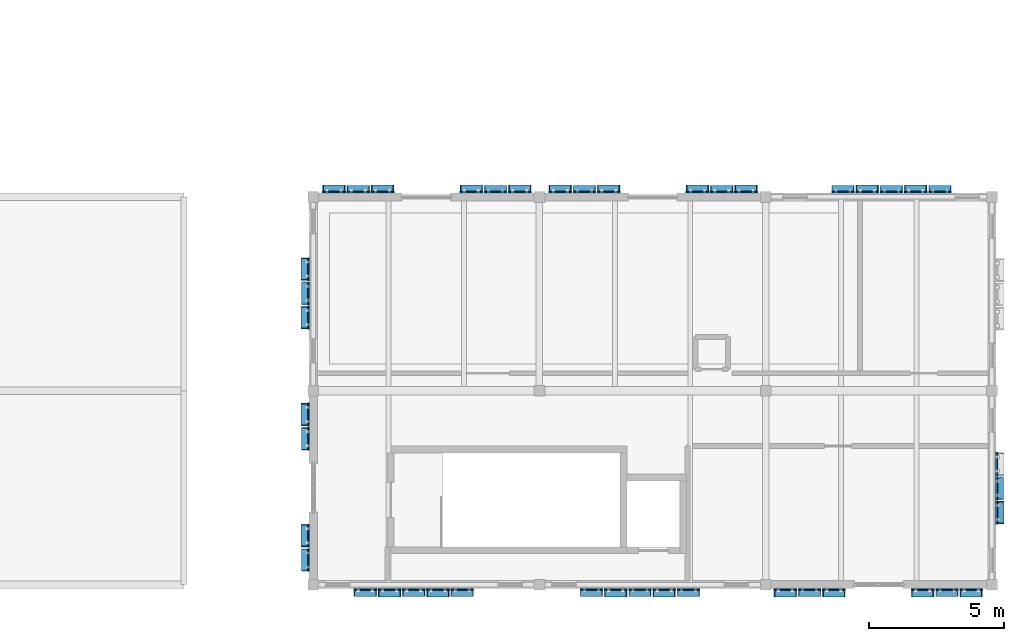
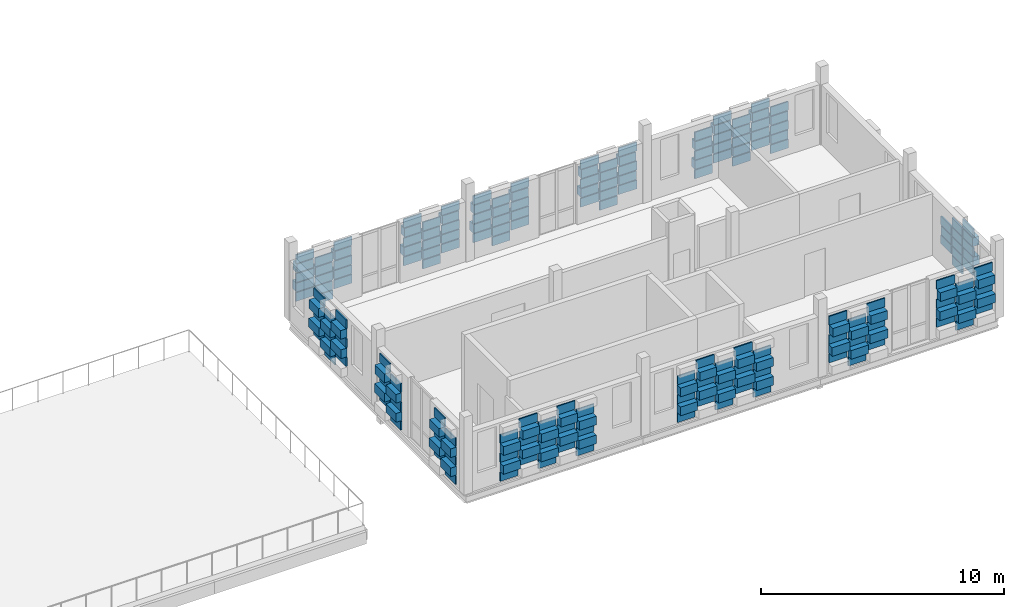
# One storey, part 32 of 57: 213 plates.
"""IFC4 building model written with IfcOpenShell, lengths in metres."""

from ifc_helpers import new_model, si_unit, direction, frame, origin, origin_2d, place, context, subcontext, project, spatial, rectangle, extrude, material, layer, layer_set, type_object, element, save


model = new_model("IFC4")

# Units and contexts
model_context = context("Model", 3, precision=1e-05, world=origin(), true_north=direction((0.0, 1.0)))
body_context = subcontext(model_context, "Body", "Model", "MODEL_VIEW")
ifc_project = project(units=[si_unit("LENGTHUNIT", "METRE"), si_unit("AREAUNIT", "SQUARE_METRE"), si_unit("VOLUMEUNIT", "CUBIC_METRE"), si_unit("PLANEANGLEUNIT", "RADIAN"), si_unit("MASSUNIT", "GRAM", prefix="KILO")], contexts=[model_context])

# Site, building, storey
site_placement = place(None, origin())
site = spatial("IfcSite", under=ifc_project, at=site_placement, CompositionType="ELEMENT")
building_placement = place(site_placement, origin())
building = spatial("IfcBuilding", under=site, at=building_placement, Name="Kahlenmark Community Centre", CompositionType="ELEMENT")
storey_placement = place(building_placement, frame((0.0, 0.0, 13.800048828125)))
storey = spatial("IfcBuildingStorey", under=building, at=storey_placement, Name="L03", CompositionType="ELEMENT", Elevation=13.800048828125)

# Plates
ifc_material_1 = material(Name="Extruded warm terracotta recessed weave tile", Category="masonry")
ifc_layer_1 = layer(ifc_material_1, 0.06005859375)
ifc_layer_set_1 = layer_set([ifc_layer_1], Name="Extruded warm terracotta recessed weave tile")
plate_type_1 = type_object("IfcPlateType", Name="PLT-TC-TC-R10-840X60X435", PredefinedType="SHEET", material=ifc_layer_set_1)
for number, where, z_axis, x_axis, name in (
    (1, (93.530029296875, 8.6201171875, 0.099853515625), (0.0, 0.0, 1.0), (1.0, 0.0, 0.0), "Basketweave terracotta cassette 4196"),
    (2, (93.530029296875, 8.6201171875, 1.0498046875), (0.0, 0.0, 1.0), (1.0, 0.0, 0.0), "Basketweave terracotta cassette 4198"),
    (3, (93.530029296875, 8.6201171875, 2.0), (0.0, 0.0, 1.0), (1.0, 0.0, 0.0), "Basketweave terracotta cassette 4200"),
    (4, (95.330078125, 8.6201171875, 0.099853515625), (0.0, 0.0, 1.0), (1.0, 0.0, 0.0), "Basketweave terracotta cassette 4208"),
    (5, (95.330078125, 8.6201171875, 1.0498046875), (0.0, 0.0, 1.0), (1.0, 0.0, 0.0), "Basketweave terracotta cassette 4210"),
    (6, (95.330078125, 8.6201171875, 2.0), (0.0, 0.0, 1.0), (1.0, 0.0, 0.0), "Basketweave terracotta cassette 4212"),
    (7, (97.1298828125, 8.6201171875, 0.099853515625), (0.0, 0.0, 1.0), (1.0, 0.0, 0.0), "Basketweave terracotta cassette 4220"),
    (8, (97.1298828125, 8.6201171875, 1.0498046875), (0.0, 0.0, 1.0), (1.0, 0.0, 0.0), "Basketweave terracotta cassette 4222"),
    (9, (97.1298828125, 8.6201171875, 2.0), (0.0, 0.0, 1.0), (1.0, 0.0, 0.0), "Basketweave terracotta cassette 4224"),
    (10, (101.929931640625, 8.6201171875, 0.099853515625), (0.0, 0.0, 1.0), (1.0, 0.0, 0.0), "Basketweave terracotta cassette 4226"),
    (11, (101.929931640625, 8.6201171875, 1.0498046875), (0.0, 0.0, 1.0), (1.0, 0.0, 0.0), "Basketweave terracotta cassette 4228"),
    (12, (101.929931640625, 8.6201171875, 2.0), (0.0, 0.0, 1.0), (1.0, 0.0, 0.0), "Basketweave terracotta cassette 4230"),
    (13, (103.72998046875, 8.6201171875, 0.099853515625), (0.0, 0.0, 1.0), (1.0, 0.0, 0.0), "Basketweave terracotta cassette 4238"),
    (14, (103.72998046875, 8.6201171875, 1.0498046875), (0.0, 0.0, 1.0), (1.0, 0.0, 0.0), "Basketweave terracotta cassette 4240"),
    (15, (103.72998046875, 8.6201171875, 2.0), (0.0, 0.0, 1.0), (1.0, 0.0, 0.0), "Basketweave terracotta cassette 4242"),
    (16, (105.530029296875, 8.6201171875, 0.099853515625), (0.0, 0.0, 1.0), (1.0, 0.0, 0.0), "Basketweave terracotta cassette 4250"),
    (17, (105.530029296875, 8.6201171875, 1.0498046875), (0.0, 0.0, 1.0), (1.0, 0.0, 0.0), "Basketweave terracotta cassette 4252"),
    (18, (105.530029296875, 8.6201171875, 2.0), (0.0, 0.0, 1.0), (1.0, 0.0, 0.0), "Basketweave terracotta cassette 4254"),
    (19, (110.030029296875, 8.6201171875, 0.099853515625), (0.0, 0.0, 1.0), (1.0, 0.0, 0.0), "Basketweave terracotta cassette 4262"),
    (20, (110.030029296875, 8.6201171875, 1.0498046875), (0.0, 0.0, 1.0), (1.0, 0.0, 0.0), "Basketweave terracotta cassette 4264"),
    (21, (110.030029296875, 8.6201171875, 2.0), (0.0, 0.0, 1.0), (1.0, 0.0, 0.0), "Basketweave terracotta cassette 4266"),
    (22, (115.1298828125, 8.6201171875, 0.099853515625), (0.0, 0.0, 1.0), (1.0, 0.0, 0.0), "Basketweave terracotta cassette 4280"),
    (23, (115.1298828125, 8.6201171875, 1.0498046875), (0.0, 0.0, 1.0), (1.0, 0.0, 0.0), "Basketweave terracotta cassette 4282"),
    (24, (115.1298828125, 8.6201171875, 2.0), (0.0, 0.0, 1.0), (1.0, 0.0, 0.0), "Basketweave terracotta cassette 4284"),
    (25, (98.3701171875, 23.3798828125, 0.099853515625), (0.0, 0.0, 1.0), (-1.0, 0.0, 0.0), "Basketweave terracotta cassette 4298"),
    (26, (98.3701171875, 23.3798828125, 1.0498046875), (0.0, 0.0, 1.0), (-1.0, 0.0, 0.0), "Basketweave terracotta cassette 4300"),
    (27, (98.3701171875, 23.3798828125, 2.0), (0.0, 0.0, 1.0), (-1.0, 0.0, 0.0), "Basketweave terracotta cassette 4302"),
    (28, (93.27001953125, 23.3798828125, 0.099853515625), (0.0, 0.0, 1.0), (-1.0, 0.0, 0.0), "Basketweave terracotta cassette 4316"),
    (29, (93.27001953125, 23.3798828125, 1.0498046875), (0.0, 0.0, 1.0), (-1.0, 0.0, 0.0), "Basketweave terracotta cassette 4318"),
    (30, (93.27001953125, 23.3798828125, 2.0), (0.0, 0.0, 1.0), (-1.0, 0.0, 0.0), "Basketweave terracotta cassette 4320"),
    (31, (106.77001953125, 23.3798828125, 0.099853515625), (0.0, 0.0, 1.0), (-1.0, 0.0, 0.0), "Basketweave terracotta cassette 4334"),
    (32, (106.77001953125, 23.3798828125, 1.0498046875), (0.0, 0.0, 1.0), (-1.0, 0.0, 0.0), "Basketweave terracotta cassette 4336"),
    (33, (106.77001953125, 23.3798828125, 2.0), (0.0, 0.0, 1.0), (-1.0, 0.0, 0.0), "Basketweave terracotta cassette 4338"),
    (34, (101.669921875, 23.3798828125, 0.099853515625), (0.0, 0.0, 1.0), (-1.0, 0.0, 0.0), "Basketweave terracotta cassette 4352"),
    (35, (101.669921875, 23.3798828125, 1.0498046875), (0.0, 0.0, 1.0), (-1.0, 0.0, 0.0), "Basketweave terracotta cassette 4354"),
    (36, (101.669921875, 23.3798828125, 2.0), (0.0, 0.0, 1.0), (-1.0, 0.0, 0.0), "Basketweave terracotta cassette 4356"),
    (37, (114.8701171875, 23.3798828125, 0.099853515625), (0.0, 0.0, 1.0), (-1.0, 0.0, 0.0), "Basketweave terracotta cassette 4364"),
    (38, (114.8701171875, 23.3798828125, 1.0498046875), (0.0, 0.0, 1.0), (-1.0, 0.0, 0.0), "Basketweave terracotta cassette 4366"),
    (39, (114.8701171875, 23.3798828125, 2.0), (0.0, 0.0, 1.0), (-1.0, 0.0, 0.0), "Basketweave terracotta cassette 4368"),
    (40, (113.070068359375, 23.3798828125, 0.099853515625), (0.0, 0.0, 1.0), (-1.0, 0.0, 0.0), "Basketweave terracotta cassette 4376"),
    (41, (113.070068359375, 23.3798828125, 1.0498046875), (0.0, 0.0, 1.0), (-1.0, 0.0, 0.0), "Basketweave terracotta cassette 4378"),
    (42, (113.070068359375, 23.3798828125, 2.0), (0.0, 0.0, 1.0), (-1.0, 0.0, 0.0), "Basketweave terracotta cassette 4380"),
    (43, (111.27001953125, 23.3798828125, 0.099853515625), (0.0, 0.0, 1.0), (-1.0, 0.0, 0.0), "Basketweave terracotta cassette 4388"),
    (44, (111.27001953125, 23.3798828125, 1.0498046875), (0.0, 0.0, 1.0), (-1.0, 0.0, 0.0), "Basketweave terracotta cassette 4390"),
    (45, (111.27001953125, 23.3798828125, 2.0), (0.0, 0.0, 1.0), (-1.0, 0.0, 0.0), "Basketweave terracotta cassette 4392"),
    (46, (91.419921875, 14.219970703125, 0.099853515625), (0.0, 0.0, 1.0), (0.0, -1.0, 0.0), "Basketweave terracotta cassette 4400"),
    (47, (91.419921875, 14.219970703125, 1.0498046875), (0.0, 0.0, 1.0), (0.0, -1.0, 0.0), "Basketweave terracotta cassette 4402"),
    (48, (91.419921875, 14.219970703125, 2.0), (0.0, 0.0, 1.0), (0.0, -1.0, 0.0), "Basketweave terracotta cassette 4404"),
    (49, (91.419921875, 9.719970703125, 0.099853515625), (0.0, 0.0, 1.0), (0.0, -1.0, 0.0), "Basketweave terracotta cassette 4412"),
    (50, (91.419921875, 9.719970703125, 1.0498046875), (0.0, 0.0, 1.0), (0.0, -1.0, 0.0), "Basketweave terracotta cassette 4414"),
    (51, (91.419921875, 9.719970703125, 2.0), (0.0, 0.0, 1.0), (0.0, -1.0, 0.0), "Basketweave terracotta cassette 4416"),
    (52, (91.419921875, 19.6201171875, 0.099853515625), (0.0, 0.0, 1.0), (0.0, -1.0, 0.0), "Basketweave terracotta cassette 4424"),
    (53, (91.419921875, 19.6201171875, 1.0498046875), (0.0, 0.0, 1.0), (0.0, -1.0, 0.0), "Basketweave terracotta cassette 4426"),
    (54, (91.419921875, 19.6201171875, 2.0), (0.0, 0.0, 1.0), (0.0, -1.0, 0.0), "Basketweave terracotta cassette 4428"),
    (55, (116.97998046875, 12.3798828125, 0.099853515625), (0.0, 0.0, 1.0), (0.0, 1.0, 0.0), "Basketweave terracotta cassette 4442"),
    (56, (116.97998046875, 12.3798828125, 1.0498046875), (0.0, 0.0, 1.0), (0.0, 1.0, 0.0), "Basketweave terracotta cassette 4444"),
    (57, (116.97998046875, 12.3798828125, 2.0), (0.0, 0.0, 1.0), (0.0, 1.0, 0.0), "Basketweave terracotta cassette 4446"),
):
    element("IfcPlate", number, at=place(storey_placement, frame(where, z_axis=z_axis, x_axis=x_axis)), inside=storey, type_object=plate_type_1, Name=name, PredefinedType="SHEET", context=body_context, shape_type="SweptSolid", body=[
        extrude(rectangle(XDim=0.840087890625, YDim=0.06005859375, at=origin_2d()), origin(), (0.0, 0.0, 1.0), 0.43505859375),
    ])
ifc_layer_2 = layer(ifc_material_1, 0.06005859375)
ifc_layer_set_2 = layer_set([ifc_layer_2], Name="Extruded warm terracotta recessed weave tile")
plate_type_2 = type_object("IfcPlateType", Name="PLT-TC-TC-R10-860X60X435", PredefinedType="SHEET", material=ifc_layer_set_2)
for number, where, z_axis, x_axis, name in (
    (58, (94.429931640625, 8.6201171875, 0.574951171875), (0.0, 0.0, 1.0), (1.0, 0.0, 0.0), "Basketweave terracotta cassette 4203"),
    (59, (94.429931640625, 8.6201171875, 1.52490234375), (0.0, 0.0, 1.0), (1.0, 0.0, 0.0), "Basketweave terracotta cassette 4205"),
    (60, (94.429931640625, 8.6201171875, 2.474853515625), (0.0, 0.0, 1.0), (1.0, 0.0, 0.0), "Basketweave terracotta cassette 4207"),
    (61, (96.22998046875, 8.6201171875, 0.574951171875), (0.0, 0.0, 1.0), (1.0, 0.0, 0.0), "Basketweave terracotta cassette 4215"),
    (62, (96.22998046875, 8.6201171875, 1.52490234375), (0.0, 0.0, 1.0), (1.0, 0.0, 0.0), "Basketweave terracotta cassette 4217"),
    (63, (96.22998046875, 8.6201171875, 2.474853515625), (0.0, 0.0, 1.0), (1.0, 0.0, 0.0), "Basketweave terracotta cassette 4219"),
    (64, (102.830078125, 8.6201171875, 0.574951171875), (0.0, 0.0, 1.0), (1.0, 0.0, 0.0), "Basketweave terracotta cassette 4233"),
    (65, (102.830078125, 8.6201171875, 1.52490234375), (0.0, 0.0, 1.0), (1.0, 0.0, 0.0), "Basketweave terracotta cassette 4235"),
    (66, (102.830078125, 8.6201171875, 2.474853515625), (0.0, 0.0, 1.0), (1.0, 0.0, 0.0), "Basketweave terracotta cassette 4237"),
    (67, (104.6298828125, 8.6201171875, 0.574951171875), (0.0, 0.0, 1.0), (1.0, 0.0, 0.0), "Basketweave terracotta cassette 4245"),
    (68, (104.6298828125, 8.6201171875, 1.52490234375), (0.0, 0.0, 1.0), (1.0, 0.0, 0.0), "Basketweave terracotta cassette 4247"),
    (69, (104.6298828125, 8.6201171875, 2.474853515625), (0.0, 0.0, 1.0), (1.0, 0.0, 0.0), "Basketweave terracotta cassette 4249"),
    (70, (109.1298828125, 8.6201171875, 0.574951171875), (0.0, 0.0, 1.0), (1.0, 0.0, 0.0), "Basketweave terracotta cassette 4257"),
    (71, (109.1298828125, 8.6201171875, 1.52490234375), (0.0, 0.0, 1.0), (1.0, 0.0, 0.0), "Basketweave terracotta cassette 4259"),
    (72, (109.1298828125, 8.6201171875, 2.474853515625), (0.0, 0.0, 1.0), (1.0, 0.0, 0.0), "Basketweave terracotta cassette 4261"),
    (73, (110.929931640625, 8.6201171875, 0.574951171875), (0.0, 0.0, 1.0), (1.0, 0.0, 0.0), "Basketweave terracotta cassette 4269"),
    (74, (110.929931640625, 8.6201171875, 1.52490234375), (0.0, 0.0, 1.0), (1.0, 0.0, 0.0), "Basketweave terracotta cassette 4271"),
    (75, (110.929931640625, 8.6201171875, 2.474853515625), (0.0, 0.0, 1.0), (1.0, 0.0, 0.0), "Basketweave terracotta cassette 4273"),
    (76, (114.22998046875, 8.6201171875, 0.574951171875), (0.0, 0.0, 1.0), (1.0, 0.0, 0.0), "Basketweave terracotta cassette 4275"),
    (77, (114.22998046875, 8.6201171875, 1.52490234375), (0.0, 0.0, 1.0), (1.0, 0.0, 0.0), "Basketweave terracotta cassette 4277"),
    (78, (114.22998046875, 8.6201171875, 2.474853515625), (0.0, 0.0, 1.0), (1.0, 0.0, 0.0), "Basketweave terracotta cassette 4279"),
    (79, (116.030029296875, 8.6201171875, 0.574951171875), (0.0, 0.0, 1.0), (1.0, 0.0, 0.0), "Basketweave terracotta cassette 4287"),
    (80, (116.030029296875, 8.6201171875, 1.52490234375), (0.0, 0.0, 1.0), (1.0, 0.0, 0.0), "Basketweave terracotta cassette 4289"),
    (81, (116.030029296875, 8.6201171875, 2.474853515625), (0.0, 0.0, 1.0), (1.0, 0.0, 0.0), "Basketweave terracotta cassette 4291"),
    (82, (99.27001953125, 23.3798828125, 0.574951171875), (0.0, 0.0, 1.0), (-1.0, 0.0, 0.0), "Basketweave terracotta cassette 4293"),
    (83, (99.27001953125, 23.3798828125, 1.52490234375), (0.0, 0.0, 1.0), (-1.0, 0.0, 0.0), "Basketweave terracotta cassette 4295"),
    (84, (99.27001953125, 23.3798828125, 2.474853515625), (0.0, 0.0, 1.0), (-1.0, 0.0, 0.0), "Basketweave terracotta cassette 4297"),
    (85, (97.469970703125, 23.3798828125, 0.574951171875), (0.0, 0.0, 1.0), (-1.0, 0.0, 0.0), "Basketweave terracotta cassette 4305"),
    (86, (97.469970703125, 23.3798828125, 1.52490234375), (0.0, 0.0, 1.0), (-1.0, 0.0, 0.0), "Basketweave terracotta cassette 4307"),
    (87, (97.469970703125, 23.3798828125, 2.474853515625), (0.0, 0.0, 1.0), (-1.0, 0.0, 0.0), "Basketweave terracotta cassette 4309"),
    (88, (94.169921875, 23.3798828125, 0.574951171875), (0.0, 0.0, 1.0), (-1.0, 0.0, 0.0), "Basketweave terracotta cassette 4311"),
    (89, (94.169921875, 23.3798828125, 1.52490234375), (0.0, 0.0, 1.0), (-1.0, 0.0, 0.0), "Basketweave terracotta cassette 4313"),
    (90, (94.169921875, 23.3798828125, 2.474853515625), (0.0, 0.0, 1.0), (-1.0, 0.0, 0.0), "Basketweave terracotta cassette 4315"),
    (91, (92.3701171875, 23.3798828125, 0.574951171875), (0.0, 0.0, 1.0), (-1.0, 0.0, 0.0), "Basketweave terracotta cassette 4323"),
    (92, (92.3701171875, 23.3798828125, 1.52490234375), (0.0, 0.0, 1.0), (-1.0, 0.0, 0.0), "Basketweave terracotta cassette 4325"),
    (93, (92.3701171875, 23.3798828125, 2.474853515625), (0.0, 0.0, 1.0), (-1.0, 0.0, 0.0), "Basketweave terracotta cassette 4327"),
    (94, (107.669921875, 23.3798828125, 0.574951171875), (0.0, 0.0, 1.0), (-1.0, 0.0, 0.0), "Basketweave terracotta cassette 4329"),
    (95, (107.669921875, 23.3798828125, 1.52490234375), (0.0, 0.0, 1.0), (-1.0, 0.0, 0.0), "Basketweave terracotta cassette 4331"),
    (96, (107.669921875, 23.3798828125, 2.474853515625), (0.0, 0.0, 1.0), (-1.0, 0.0, 0.0), "Basketweave terracotta cassette 4333"),
    (97, (105.8701171875, 23.3798828125, 0.574951171875), (0.0, 0.0, 1.0), (-1.0, 0.0, 0.0), "Basketweave terracotta cassette 4341"),
    (98, (105.8701171875, 23.3798828125, 1.52490234375), (0.0, 0.0, 1.0), (-1.0, 0.0, 0.0), "Basketweave terracotta cassette 4343"),
    (99, (105.8701171875, 23.3798828125, 2.474853515625), (0.0, 0.0, 1.0), (-1.0, 0.0, 0.0), "Basketweave terracotta cassette 4345"),
    (100, (102.570068359375, 23.3798828125, 0.574951171875), (0.0, 0.0, 1.0), (-1.0, 0.0, 0.0), "Basketweave terracotta cassette 4347"),
    (101, (102.570068359375, 23.3798828125, 1.52490234375), (0.0, 0.0, 1.0), (-1.0, 0.0, 0.0), "Basketweave terracotta cassette 4349"),
    (102, (102.570068359375, 23.3798828125, 2.474853515625), (0.0, 0.0, 1.0), (-1.0, 0.0, 0.0), "Basketweave terracotta cassette 4351"),
    (103, (100.77001953125, 23.3798828125, 0.574951171875), (0.0, 0.0, 1.0), (-1.0, 0.0, 0.0), "Basketweave terracotta cassette 4359"),
    (104, (100.77001953125, 23.3798828125, 1.52490234375), (0.0, 0.0, 1.0), (-1.0, 0.0, 0.0), "Basketweave terracotta cassette 4361"),
    (105, (100.77001953125, 23.3798828125, 2.474853515625), (0.0, 0.0, 1.0), (-1.0, 0.0, 0.0), "Basketweave terracotta cassette 4363"),
    (106, (113.969970703125, 23.3798828125, 0.574951171875), (0.0, 0.0, 1.0), (-1.0, 0.0, 0.0), "Basketweave terracotta cassette 4371"),
    (107, (113.969970703125, 23.3798828125, 1.52490234375), (0.0, 0.0, 1.0), (-1.0, 0.0, 0.0), "Basketweave terracotta cassette 4373"),
    (108, (113.969970703125, 23.3798828125, 2.474853515625), (0.0, 0.0, 1.0), (-1.0, 0.0, 0.0), "Basketweave terracotta cassette 4375"),
    (109, (112.169921875, 23.3798828125, 0.574951171875), (0.0, 0.0, 1.0), (-1.0, 0.0, 0.0), "Basketweave terracotta cassette 4383"),
    (110, (112.169921875, 23.3798828125, 1.52490234375), (0.0, 0.0, 1.0), (-1.0, 0.0, 0.0), "Basketweave terracotta cassette 4385"),
    (111, (112.169921875, 23.3798828125, 2.474853515625), (0.0, 0.0, 1.0), (-1.0, 0.0, 0.0), "Basketweave terracotta cassette 4387"),
    (112, (91.419921875, 15.1201171875, 0.574951171875), (0.0, 0.0, 1.0), (0.0, -1.0, 0.0), "Basketweave terracotta cassette 4395"),
    (113, (91.419921875, 15.1201171875, 1.52490234375), (0.0, 0.0, 1.0), (0.0, -1.0, 0.0), "Basketweave terracotta cassette 4397"),
    (114, (91.419921875, 15.1201171875, 2.474853515625), (0.0, 0.0, 1.0), (0.0, -1.0, 0.0), "Basketweave terracotta cassette 4399"),
    (115, (91.419921875, 10.6201171875, 0.574951171875), (0.0, 0.0, 1.0), (0.0, -1.0, 0.0), "Basketweave terracotta cassette 4407"),
    (116, (91.419921875, 10.6201171875, 1.52490234375), (0.0, 0.0, 1.0), (0.0, -1.0, 0.0), "Basketweave terracotta cassette 4409"),
    (117, (91.419921875, 10.6201171875, 2.474853515625), (0.0, 0.0, 1.0), (0.0, -1.0, 0.0), "Basketweave terracotta cassette 4411"),
    (118, (91.419921875, 20.52001953125, 0.574951171875), (0.0, 0.0, 1.0), (0.0, -1.0, 0.0), "Basketweave terracotta cassette 4419"),
    (119, (91.419921875, 20.52001953125, 1.52490234375), (0.0, 0.0, 1.0), (0.0, -1.0, 0.0), "Basketweave terracotta cassette 4421"),
    (120, (91.419921875, 20.52001953125, 2.474853515625), (0.0, 0.0, 1.0), (0.0, -1.0, 0.0), "Basketweave terracotta cassette 4423"),
    (121, (91.419921875, 18.719970703125, 0.574951171875), (0.0, 0.0, 1.0), (0.0, -1.0, 0.0), "Basketweave terracotta cassette 4431"),
    (122, (91.419921875, 18.719970703125, 1.52490234375), (0.0, 0.0, 1.0), (0.0, -1.0, 0.0), "Basketweave terracotta cassette 4433"),
    (123, (91.419921875, 18.719970703125, 2.474853515625), (0.0, 0.0, 1.0), (0.0, -1.0, 0.0), "Basketweave terracotta cassette 4435"),
    (124, (116.97998046875, 11.47998046875, 0.574951171875), (0.0, 0.0, 1.0), (0.0, 1.0, 0.0), "Basketweave terracotta cassette 4437"),
    (125, (116.97998046875, 11.47998046875, 1.52490234375), (0.0, 0.0, 1.0), (0.0, 1.0, 0.0), "Basketweave terracotta cassette 4439"),
    (126, (116.97998046875, 11.47998046875, 2.474853515625), (0.0, 0.0, 1.0), (0.0, 1.0, 0.0), "Basketweave terracotta cassette 4441"),
    (127, (116.97998046875, 13.280029296875, 0.574951171875), (0.0, 0.0, 1.0), (0.0, 1.0, 0.0), "Basketweave terracotta cassette 4449"),
    (128, (116.97998046875, 13.280029296875, 1.52490234375), (0.0, 0.0, 1.0), (0.0, 1.0, 0.0), "Basketweave terracotta cassette 4451"),
):
    element("IfcPlate", number, at=place(storey_placement, frame(where, z_axis=z_axis, x_axis=x_axis)), inside=storey, type_object=plate_type_2, Name=name, PredefinedType="SHEET", context=body_context, shape_type="SweptSolid", body=[
        extrude(rectangle(XDim=0.860107421875, YDim=0.06005859375, at=origin_2d()), origin(), (0.0, 0.0, 1.0), 0.43505859375),
    ])
ifc_material_2 = material(Name="Extruded glazed terracotta weave cassette", Category="masonry")
ifc_layer_3 = layer(ifc_material_2, 0.300048828125)
ifc_layer_set_3 = layer_set([ifc_layer_3], Name="Extruded glazed terracotta weave cassette")
plate_type_3 = type_object("IfcPlateType", Name="PLT-TC-TC-R34-780X300X435", PredefinedType="SHEET", material=ifc_layer_set_3)
for number, where, z_axis, x_axis, name in (
    (129, (94.429931640625, 8.5, 2.0), (0.0, 0.0, 1.0), (1.0, 0.0, 0.0), "Basketweave terracotta cassette 4206"),
    (130, (96.22998046875, 8.5, 2.0), (0.0, 0.0, 1.0), (1.0, 0.0, 0.0), "Basketweave terracotta cassette 4218"),
    (131, (102.830078125, 8.5, 2.0), (0.0, 0.0, 1.0), (1.0, 0.0, 0.0), "Basketweave terracotta cassette 4236"),
    (132, (104.6298828125, 8.5, 2.0), (0.0, 0.0, 1.0), (1.0, 0.0, 0.0), "Basketweave terracotta cassette 4248"),
    (133, (109.1298828125, 8.5, 2.0), (0.0, 0.0, 1.0), (1.0, 0.0, 0.0), "Basketweave terracotta cassette 4260"),
    (134, (110.929931640625, 8.5, 2.0), (0.0, 0.0, 1.0), (1.0, 0.0, 0.0), "Basketweave terracotta cassette 4272"),
    (135, (114.22998046875, 8.5, 2.0), (0.0, 0.0, 1.0), (1.0, 0.0, 0.0), "Basketweave terracotta cassette 4278"),
    (136, (116.030029296875, 8.5, 2.0), (0.0, 0.0, 1.0), (1.0, 0.0, 0.0), "Basketweave terracotta cassette 4290"),
    (137, (99.27001953125, 23.5, 2.0), (0.0, 0.0, 1.0), (-1.0, 0.0, 0.0), "Basketweave terracotta cassette 4296"),
    (138, (97.469970703125, 23.5, 2.0), (0.0, 0.0, 1.0), (-1.0, 0.0, 0.0), "Basketweave terracotta cassette 4308"),
    (139, (94.169921875, 23.5, 2.0), (0.0, 0.0, 1.0), (-1.0, 0.0, 0.0), "Basketweave terracotta cassette 4314"),
    (140, (92.3701171875, 23.5, 2.0), (0.0, 0.0, 1.0), (-1.0, 0.0, 0.0), "Basketweave terracotta cassette 4326"),
    (141, (107.669921875, 23.5, 2.0), (0.0, 0.0, 1.0), (-1.0, 0.0, 0.0), "Basketweave terracotta cassette 4332"),
    (142, (105.8701171875, 23.5, 2.0), (0.0, 0.0, 1.0), (-1.0, 0.0, 0.0), "Basketweave terracotta cassette 4344"),
    (143, (102.570068359375, 23.5, 2.0), (0.0, 0.0, 1.0), (-1.0, 0.0, 0.0), "Basketweave terracotta cassette 4350"),
    (144, (100.77001953125, 23.5, 2.0), (0.0, 0.0, 1.0), (-1.0, 0.0, 0.0), "Basketweave terracotta cassette 4362"),
    (145, (113.969970703125, 23.5, 2.0), (0.0, 0.0, 1.0), (-1.0, 0.0, 0.0), "Basketweave terracotta cassette 4374"),
    (146, (112.169921875, 23.5, 2.0), (0.0, 0.0, 1.0), (-1.0, 0.0, 0.0), "Basketweave terracotta cassette 4386"),
    (147, (91.300048828125, 15.1201171875, 2.0), (0.0, 0.0, 1.0), (0.0, -1.0, 0.0), "Basketweave terracotta cassette 4398"),
    (148, (91.300048828125, 10.6201171875, 2.0), (0.0, 0.0, 1.0), (0.0, -1.0, 0.0), "Basketweave terracotta cassette 4410"),
    (149, (91.300048828125, 20.52001953125, 2.0), (0.0, 0.0, 1.0), (0.0, -1.0, 0.0), "Basketweave terracotta cassette 4422"),
    (150, (91.300048828125, 18.719970703125, 2.0), (0.0, 0.0, 1.0), (0.0, -1.0, 0.0), "Basketweave terracotta cassette 4434"),
    (151, (117.10009765625, 11.47998046875, 2.0), (0.0, 0.0, 1.0), (0.0, 1.0, 0.0), "Basketweave terracotta cassette 4440"),
):
    element("IfcPlate", number, at=place(storey_placement, frame(where, z_axis=z_axis, x_axis=x_axis)), inside=storey, type_object=plate_type_3, Name=name, PredefinedType="SHEET", context=body_context, shape_type="SweptSolid", body=[
        extrude(rectangle(XDim=0.780029296875, YDim=0.300048828125, at=origin_2d()), origin(), (0.0, 0.0, 1.0), 0.43505859375),
    ])
ifc_layer_4 = layer(ifc_material_2, 0.300048828125)
ifc_layer_set_4 = layer_set([ifc_layer_4], Name="Extruded glazed terracotta weave cassette")
plate_type_4 = type_object("IfcPlateType", Name="PLT-TC-TC-R34-840X300X435", PredefinedType="SHEET", material=ifc_layer_set_4)
for number, where, z_axis, x_axis, name in (
    (152, (94.429931640625, 8.5, 1.0498046875), (0.0, 0.0, 1.0), (1.0, 0.0, 0.0), "Basketweave terracotta cassette 4204"),
    (153, (96.22998046875, 8.5, 1.0498046875), (0.0, 0.0, 1.0), (1.0, 0.0, 0.0), "Basketweave terracotta cassette 4216"),
    (154, (102.830078125, 8.5, 1.0498046875), (0.0, 0.0, 1.0), (1.0, 0.0, 0.0), "Basketweave terracotta cassette 4234"),
    (155, (104.6298828125, 8.5, 1.0498046875), (0.0, 0.0, 1.0), (1.0, 0.0, 0.0), "Basketweave terracotta cassette 4246"),
    (156, (109.1298828125, 8.5, 1.0498046875), (0.0, 0.0, 1.0), (1.0, 0.0, 0.0), "Basketweave terracotta cassette 4258"),
    (157, (110.929931640625, 8.5, 1.0498046875), (0.0, 0.0, 1.0), (1.0, 0.0, 0.0), "Basketweave terracotta cassette 4270"),
    (158, (114.22998046875, 8.5, 1.0498046875), (0.0, 0.0, 1.0), (1.0, 0.0, 0.0), "Basketweave terracotta cassette 4276"),
    (159, (116.030029296875, 8.5, 1.0498046875), (0.0, 0.0, 1.0), (1.0, 0.0, 0.0), "Basketweave terracotta cassette 4288"),
    (160, (99.27001953125, 23.5, 1.0498046875), (0.0, 0.0, 1.0), (-1.0, 0.0, 0.0), "Basketweave terracotta cassette 4294"),
    (161, (97.469970703125, 23.5, 1.0498046875), (0.0, 0.0, 1.0), (-1.0, 0.0, 0.0), "Basketweave terracotta cassette 4306"),
    (162, (94.169921875, 23.5, 1.0498046875), (0.0, 0.0, 1.0), (-1.0, 0.0, 0.0), "Basketweave terracotta cassette 4312"),
    (163, (92.3701171875, 23.5, 1.0498046875), (0.0, 0.0, 1.0), (-1.0, 0.0, 0.0), "Basketweave terracotta cassette 4324"),
    (164, (107.669921875, 23.5, 1.0498046875), (0.0, 0.0, 1.0), (-1.0, 0.0, 0.0), "Basketweave terracotta cassette 4330"),
    (165, (105.8701171875, 23.5, 1.0498046875), (0.0, 0.0, 1.0), (-1.0, 0.0, 0.0), "Basketweave terracotta cassette 4342"),
    (166, (102.570068359375, 23.5, 1.0498046875), (0.0, 0.0, 1.0), (-1.0, 0.0, 0.0), "Basketweave terracotta cassette 4348"),
    (167, (100.77001953125, 23.5, 1.0498046875), (0.0, 0.0, 1.0), (-1.0, 0.0, 0.0), "Basketweave terracotta cassette 4360"),
    (168, (113.969970703125, 23.5, 1.0498046875), (0.0, 0.0, 1.0), (-1.0, 0.0, 0.0), "Basketweave terracotta cassette 4372"),
    (169, (112.169921875, 23.5, 1.0498046875), (0.0, 0.0, 1.0), (-1.0, 0.0, 0.0), "Basketweave terracotta cassette 4384"),
    (170, (91.300048828125, 15.1201171875, 1.0498046875), (0.0, 0.0, 1.0), (0.0, -1.0, 0.0), "Basketweave terracotta cassette 4396"),
    (171, (91.300048828125, 10.6201171875, 1.0498046875), (0.0, 0.0, 1.0), (0.0, -1.0, 0.0), "Basketweave terracotta cassette 4408"),
    (172, (91.300048828125, 20.52001953125, 1.0498046875), (0.0, 0.0, 1.0), (0.0, -1.0, 0.0), "Basketweave terracotta cassette 4420"),
    (173, (91.300048828125, 18.719970703125, 1.0498046875), (0.0, 0.0, 1.0), (0.0, -1.0, 0.0), "Basketweave terracotta cassette 4432"),
    (174, (117.10009765625, 11.47998046875, 1.0498046875), (0.0, 0.0, 1.0), (0.0, 1.0, 0.0), "Basketweave terracotta cassette 4438"),
    (175, (117.10009765625, 13.280029296875, 1.0498046875), (0.0, 0.0, 1.0), (0.0, 1.0, 0.0), "Basketweave terracotta cassette 4450"),
):
    element("IfcPlate", number, at=place(storey_placement, frame(where, z_axis=z_axis, x_axis=x_axis)), inside=storey, type_object=plate_type_4, Name=name, PredefinedType="SHEET", context=body_context, shape_type="SweptSolid", body=[
        extrude(rectangle(XDim=0.840087890625, YDim=0.300048828125, at=origin_2d()), origin(), (0.0, 0.0, 1.0), 0.43505859375),
    ])
ifc_layer_5 = layer(ifc_material_2, 0.280029296875)
ifc_layer_set_5 = layer_set([ifc_layer_5], Name="Extruded glazed terracotta weave cassette")
plate_type_5 = type_object("IfcPlateType", Name="PLT-TC-TC-W30-800X280X435", PredefinedType="SHEET", material=ifc_layer_set_5)
for number, where, z_axis, x_axis, name in (
    (176, (93.530029296875, 8.510009765625, 1.52490234375), (0.0, 0.0, 1.0), (1.0, 0.0, 0.0), "Basketweave terracotta cassette 4199"),
    (177, (95.330078125, 8.510009765625, 1.52490234375), (0.0, 0.0, 1.0), (1.0, 0.0, 0.0), "Basketweave terracotta cassette 4211"),
    (178, (97.1298828125, 8.510009765625, 1.52490234375), (0.0, 0.0, 1.0), (1.0, 0.0, 0.0), "Basketweave terracotta cassette 4223"),
    (179, (101.929931640625, 8.510009765625, 1.52490234375), (0.0, 0.0, 1.0), (1.0, 0.0, 0.0), "Basketweave terracotta cassette 4229"),
    (180, (103.72998046875, 8.510009765625, 1.52490234375), (0.0, 0.0, 1.0), (1.0, 0.0, 0.0), "Basketweave terracotta cassette 4241"),
    (181, (105.530029296875, 8.510009765625, 1.52490234375), (0.0, 0.0, 1.0), (1.0, 0.0, 0.0), "Basketweave terracotta cassette 4253"),
    (182, (110.030029296875, 8.510009765625, 1.52490234375), (0.0, 0.0, 1.0), (1.0, 0.0, 0.0), "Basketweave terracotta cassette 4265"),
    (183, (115.1298828125, 8.510009765625, 1.52490234375), (0.0, 0.0, 1.0), (1.0, 0.0, 0.0), "Basketweave terracotta cassette 4283"),
    (184, (98.3701171875, 23.489990234375, 1.52490234375), (0.0, 0.0, 1.0), (-1.0, 0.0, 0.0), "Basketweave terracotta cassette 4301"),
    (185, (93.27001953125, 23.489990234375, 1.52490234375), (0.0, 0.0, 1.0), (-1.0, 0.0, 0.0), "Basketweave terracotta cassette 4319"),
    (186, (106.77001953125, 23.489990234375, 1.52490234375), (0.0, 0.0, 1.0), (-1.0, 0.0, 0.0), "Basketweave terracotta cassette 4337"),
    (187, (101.669921875, 23.489990234375, 1.52490234375), (0.0, 0.0, 1.0), (-1.0, 0.0, 0.0), "Basketweave terracotta cassette 4355"),
    (188, (114.8701171875, 23.489990234375, 1.52490234375), (0.0, 0.0, 1.0), (-1.0, 0.0, 0.0), "Basketweave terracotta cassette 4367"),
    (189, (113.070068359375, 23.489990234375, 1.52490234375), (0.0, 0.0, 1.0), (-1.0, 0.0, 0.0), "Basketweave terracotta cassette 4379"),
    (190, (111.27001953125, 23.489990234375, 1.52490234375), (0.0, 0.0, 1.0), (-1.0, 0.0, 0.0), "Basketweave terracotta cassette 4391"),
    (191, (91.31005859375, 14.219970703125, 1.52490234375), (0.0, 0.0, 1.0), (0.0, -1.0, 0.0), "Basketweave terracotta cassette 4403"),
    (192, (91.31005859375, 9.719970703125, 1.52490234375), (0.0, 0.0, 1.0), (0.0, -1.0, 0.0), "Basketweave terracotta cassette 4415"),
    (193, (91.31005859375, 19.6201171875, 1.52490234375), (0.0, 0.0, 1.0), (0.0, -1.0, 0.0), "Basketweave terracotta cassette 4427"),
    (194, (117.090087890625, 12.3798828125, 1.52490234375), (0.0, 0.0, 1.0), (0.0, 1.0, 0.0), "Basketweave terracotta cassette 4445"),
):
    element("IfcPlate", number, at=place(storey_placement, frame(where, z_axis=z_axis, x_axis=x_axis)), inside=storey, type_object=plate_type_5, Name=name, PredefinedType="SHEET", context=body_context, shape_type="SweptSolid", body=[
        extrude(rectangle(XDim=0.800048828125, YDim=0.280029296875, at=origin_2d()), origin(), (0.0, 0.0, 1.0), 0.43505859375),
    ])
ifc_layer_6 = layer(ifc_material_2, 0.280029296875)
ifc_layer_set_6 = layer_set([ifc_layer_6], Name="Extruded glazed terracotta weave cassette")
plate_type_6 = type_object("IfcPlateType", Name="PLT-TC-TC-W30-820X280X435", PredefinedType="SHEET", material=ifc_layer_set_6)
for number, where, z_axis, x_axis, name in (
    (195, (93.530029296875, 8.510009765625, 0.574951171875), (0.0, 0.0, 1.0), (1.0, 0.0, 0.0), "Basketweave terracotta cassette 4197"),
    (196, (95.330078125, 8.510009765625, 0.574951171875), (0.0, 0.0, 1.0), (1.0, 0.0, 0.0), "Basketweave terracotta cassette 4209"),
    (197, (97.1298828125, 8.510009765625, 0.574951171875), (0.0, 0.0, 1.0), (1.0, 0.0, 0.0), "Basketweave terracotta cassette 4221"),
    (198, (101.929931640625, 8.510009765625, 0.574951171875), (0.0, 0.0, 1.0), (1.0, 0.0, 0.0), "Basketweave terracotta cassette 4227"),
    (199, (103.72998046875, 8.510009765625, 0.574951171875), (0.0, 0.0, 1.0), (1.0, 0.0, 0.0), "Basketweave terracotta cassette 4239"),
    (200, (105.530029296875, 8.510009765625, 0.574951171875), (0.0, 0.0, 1.0), (1.0, 0.0, 0.0), "Basketweave terracotta cassette 4251"),
    (201, (110.030029296875, 8.510009765625, 0.574951171875), (0.0, 0.0, 1.0), (1.0, 0.0, 0.0), "Basketweave terracotta cassette 4263"),
    (202, (115.1298828125, 8.510009765625, 0.574951171875), (0.0, 0.0, 1.0), (1.0, 0.0, 0.0), "Basketweave terracotta cassette 4281"),
    (203, (98.3701171875, 23.489990234375, 0.574951171875), (0.0, 0.0, 1.0), (-1.0, 0.0, 0.0), "Basketweave terracotta cassette 4299"),
    (204, (93.27001953125, 23.489990234375, 0.574951171875), (0.0, 0.0, 1.0), (-1.0, 0.0, 0.0), "Basketweave terracotta cassette 4317"),
    (205, (106.77001953125, 23.489990234375, 0.574951171875), (0.0, 0.0, 1.0), (-1.0, 0.0, 0.0), "Basketweave terracotta cassette 4335"),
    (206, (101.669921875, 23.489990234375, 0.574951171875), (0.0, 0.0, 1.0), (-1.0, 0.0, 0.0), "Basketweave terracotta cassette 4353"),
    (207, (114.8701171875, 23.489990234375, 0.574951171875), (0.0, 0.0, 1.0), (-1.0, 0.0, 0.0), "Basketweave terracotta cassette 4365"),
    (208, (113.070068359375, 23.489990234375, 0.574951171875), (0.0, 0.0, 1.0), (-1.0, 0.0, 0.0), "Basketweave terracotta cassette 4377"),
    (209, (111.27001953125, 23.489990234375, 0.574951171875), (0.0, 0.0, 1.0), (-1.0, 0.0, 0.0), "Basketweave terracotta cassette 4389"),
    (210, (91.31005859375, 14.219970703125, 0.574951171875), (0.0, 0.0, 1.0), (0.0, -1.0, 0.0), "Basketweave terracotta cassette 4401"),
    (211, (91.31005859375, 9.719970703125, 0.574951171875), (0.0, 0.0, 1.0), (0.0, -1.0, 0.0), "Basketweave terracotta cassette 4413"),
    (212, (91.31005859375, 19.6201171875, 0.574951171875), (0.0, 0.0, 1.0), (0.0, -1.0, 0.0), "Basketweave terracotta cassette 4425"),
    (213, (117.090087890625, 12.3798828125, 0.574951171875), (0.0, 0.0, 1.0), (0.0, 1.0, 0.0), "Basketweave terracotta cassette 4443"),
):
    element("IfcPlate", number, at=place(storey_placement, frame(where, z_axis=z_axis, x_axis=x_axis)), inside=storey, type_object=plate_type_6, Name=name, PredefinedType="SHEET", context=body_context, shape_type="SweptSolid", body=[
        extrude(rectangle(XDim=0.820068359375, YDim=0.280029296875, at=origin_2d()), origin(), (0.0, 0.0, 1.0), 0.43505859375),
    ])

save(model, "model.ifc")
